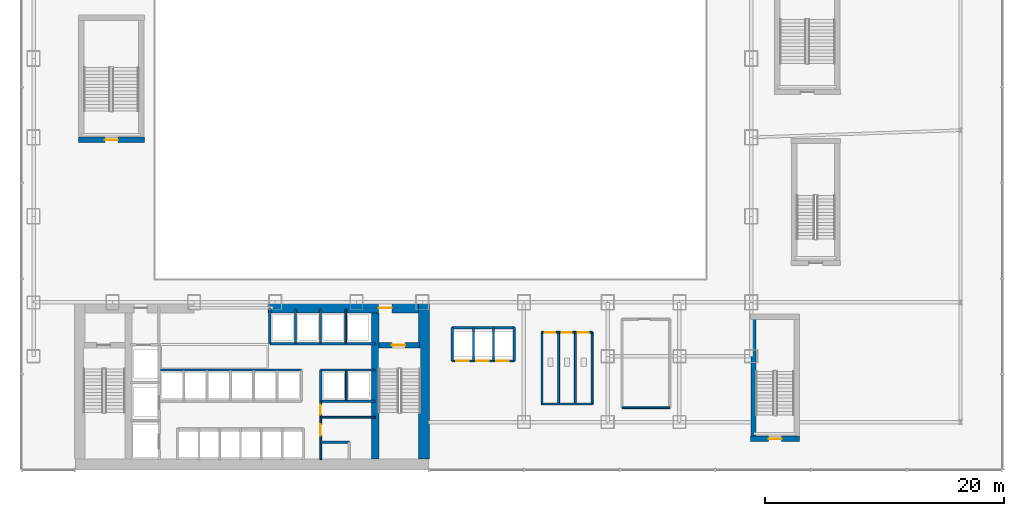
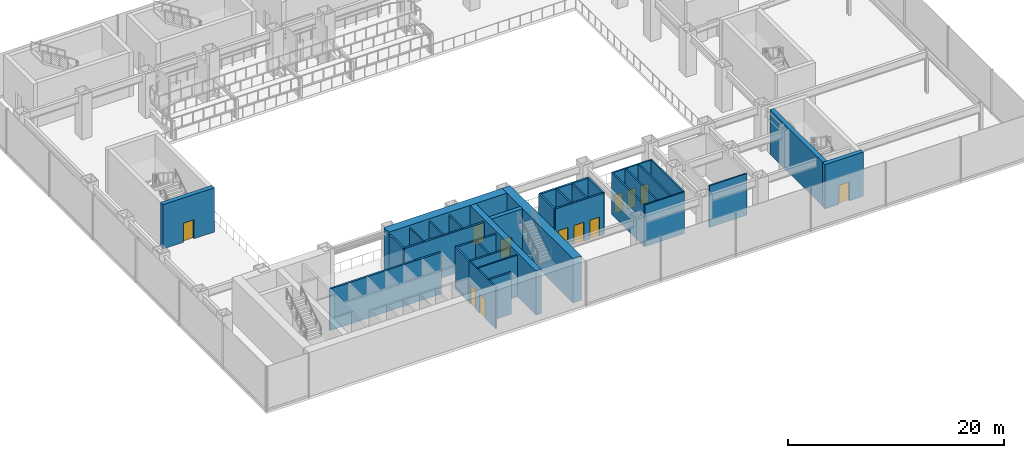
# One storey, part 29 of 39: 33 walls, 12 doors, 12 openings.
"""IFC4 building model written with IfcOpenShell, lengths in metres."""

from ifc_helpers import new_model, si_unit, derived_unit, direction, frame, frame_2d, origin, place, context, subcontext, project, spatial, rectangle, extrude, source, transform, mapped, material, layer, layer_set, type_object, element, fill, save


model = new_model("IFC4")

# Units and contexts
model_context = context("Model", 3, precision=1e-05, world=origin(), true_north=direction((0.0, 1.0)))
body_context = subcontext(model_context, "Body", "Model", "MODEL_VIEW")
ifc_project = project(units=[si_unit("LENGTHUNIT", "METRE"), si_unit("AREAUNIT", "SQUARE_METRE"), si_unit("VOLUMEUNIT", "CUBIC_METRE"), si_unit("PLANEANGLEUNIT", "RADIAN"), si_unit("MASSUNIT", "GRAM", prefix="KILO"), derived_unit("THERMALTRANSMITTANCEUNIT", [(si_unit("POWERUNIT", "WATT"), 1), (si_unit("LENGTHUNIT", "METRE"), -2), (si_unit("THERMODYNAMICTEMPERATUREUNIT", "KELVIN"), -1)])], contexts=[model_context])

# Site, building, storey
site_placement = place(None, origin())
site = spatial("IfcSite", under=ifc_project, at=site_placement, CompositionType="ELEMENT")
building_placement = place(site_placement, origin())
building = spatial("IfcBuilding", under=site, at=building_placement, Name="Skarnbrae Concourse Arena and Tower", CompositionType="ELEMENT")
storey_placement = place(building_placement, frame((0.0, 0.0, 16.0)))
storey = spatial("IfcBuildingStorey", under=building, at=storey_placement, Name="L03", CompositionType="ELEMENT", Elevation=16.0)

# Walls
ifc_material_1 = material(Name="Concrete 70 MPa (C70/85)", Category="concrete")
ifc_layer_1 = layer(ifc_material_1, 0.89990234375)
ifc_layer_set_1 = layer_set([ifc_layer_1], Name="Concrete 70 MPa (C70/85)")
wall_type_1 = type_object("IfcWallType", Name="WALL-CORE-900-C70", PredefinedType="SHEAR", material=ifc_layer_set_1)
shared_shape_1 = source(origin(), body_context, "Body", "SweptSolid", [
    extrude(rectangle(XDim=13.10009765625, YDim=0.89990234375, at=frame_2d((6.550048828125, 0.0))), origin(), (0.0, 0.0, 1.0), 5.0),
])
wall_1_placement = place(storey_placement, frame((33.64990234375, 0.89990234375, 0.0), z_axis=(0.0, 0.0, 1.0), x_axis=(0.0, 1.0, 0.0)))
element("IfcWall", 1, at=wall_1_placement, inside=storey, type_object=wall_type_1, Name="L03 Rear core shear wall CW-E", PredefinedType="SHEAR", context=body_context, shape_type="MappedRepresentation", body=[
    mapped(shared_shape_1, transform((0.0, 0.0, 0.0))),
])
ifc_layer_2 = layer(ifc_material_1, 0.60009765625)
ifc_layer_set_2 = layer_set([ifc_layer_2], Name="Concrete 70 MPa (C70/85)")
wall_type_2 = type_object("IfcWallType", Name="WALL-CORE-600-C70", PredefinedType="SHEAR", material=ifc_layer_set_2)
shared_shape_2 = source(origin(), body_context, "Body", "SweptSolid", [
    extrude(rectangle(XDim=12.2001953125, YDim=0.60009765625, at=frame_2d((6.10009765625, 0.0))), origin(), (0.0, 0.0, 1.0), 5.0),
])
wall_2_placement = place(storey_placement, frame((29.56005859375, 0.89990234375, 0.0), z_axis=(0.0, 0.0, 1.0), x_axis=(0.0, 1.0, 0.0)))
element("IfcWall", 2, at=wall_2_placement, inside=storey, type_object=wall_type_2, Name="L03 Rear core shear wall CW-WEB-E", PredefinedType="SHEAR", context=body_context, shape_type="MappedRepresentation", body=[
    mapped(shared_shape_2, transform((0.0, 0.0, 0.0))),
])

# Wall, opening, door
shared_shape_3 = source(origin(), body_context, "Body", "SweptSolid", [
    extrude(rectangle(XDim=12.599853515625, YDim=0.89990234375, at=frame_2d((6.2998046875, 0.0))), origin(), (0.0, 0.0, 1.0), 5.0),
])
wall_3_placement = place(storey_placement, frame((20.60009765625, 13.550048828125, 0.0), z_axis=(0.0, 0.0, 1.0), x_axis=(1.0, 0.0, 0.0)))
wall_3 = element("IfcWall", 3, at=wall_3_placement, inside=storey, type_object=wall_type_1, Name="L03 Rear core shear wall CW-NE", PredefinedType="SHEAR", context=body_context, shape_type="MappedRepresentation", body=[
    mapped(shared_shape_3, transform((0.0, 0.0, 0.0))),
])
opening_1_placement = place(wall_3_placement, frame((9.25, 0.0, 0.0)))
opening_1 = element("IfcOpeningElement", 4, at=opening_1_placement, cuts=wall_3, Name="Opening DT-03", PredefinedType="OPENING", context=body_context, shape_type="SweptSolid", body=[
    extrude(rectangle(XDim=1.10009765625, YDim=2.14990234375, at=frame_2d((0.550048828125, 1.074951171875))), frame((0.0, 0.4599609375, 0.0), z_axis=(0.0, -1.0, 0.0), x_axis=(1.0, 0.0, 0.0)), (0.0, 0.0, 1.0), 0.919921875),
])
ifc_material_2 = material(Name="Steel CSA G40.21 350W", Category="steel")
door_type_1 = type_object("IfcDoorType", Name="DOOR-FIRE-1100-90M", OperationType="NOTDEFINED", PredefinedType="DOOR", material=ifc_material_2)
shared_shape_4 = source(origin(), body_context, "Body", "SweptSolid", [
    extrude(rectangle(XDim=1.10009765625, YDim=2.14990234375, at=frame_2d((0.550048828125, 1.074951171875))), frame((0.0, 0.02490234375, 0.0), z_axis=(0.0, -1.0, 0.0), x_axis=(1.0, 0.0, 0.0)), (0.0, 0.0, 1.0), 0.050048828125),
])
door_1_placement = place(opening_1_placement, origin())
door_1 = element("IfcDoor", 5, at=door_1_placement, inside=storey, type_object=door_type_1, Name="D-0258 Stair ST-2 Vestibule Door", OperationType="SINGLE_SWING_LEFT", OverallHeight=2.14990234375, OverallWidth=1.10009765625, PredefinedType="DOOR", context=body_context, shape_type="MappedRepresentation", body=[
    mapped(shared_shape_4, transform((0.0, 0.0, 0.0))),
])
fill(opening_1, door_1)

ifc_material_3 = material(Name="Concrete 50 MPa (C50/60)", Category="concrete")
ifc_layer_3 = layer(ifc_material_3, 0.449951171875)
ifc_layer_set_3 = layer_set([ifc_layer_3], Name="Concrete 50 MPa (C50/60)")
wall_type_3 = type_object("IfcWallType", Name="WALL-CORE-450-C50", PredefinedType="SHEAR", material=ifc_layer_set_3)
shared_shape_5 = source(origin(), body_context, "Body", "SweptSolid", [
    extrude(rectangle(XDim=3.389892578125, YDim=0.449951171875, at=frame_2d((1.69482421875, 0.0))), origin(), (0.0, 0.0, 1.0), 5.0),
])
wall_4_placement = place(storey_placement, frame((29.860107421875, 10.419921875, 0.0), z_axis=(0.0, 0.0, 1.0), x_axis=(1.0, 0.0, 0.0)))
wall_4 = element("IfcWall", 6, at=wall_4_placement, inside=storey, type_object=wall_type_3, Name="L03 Rear core shear wall CW-ST2-N", PredefinedType="SHEAR", context=body_context, shape_type="MappedRepresentation", body=[
    mapped(shared_shape_5, transform((0.0, 0.0, 0.0))),
])
opening_2_placement = place(wall_4_placement, frame((1.10009765625, 0.0, 0.0)))
opening_2 = element("IfcOpeningElement", 7, at=opening_2_placement, cuts=wall_4, Name="Opening DT-03", PredefinedType="OPENING", context=body_context, shape_type="SweptSolid", body=[
    extrude(rectangle(XDim=1.10009765625, YDim=2.14990234375, at=frame_2d((0.550048828125, 1.074951171875))), frame((0.0, 0.23486328125, 0.0), z_axis=(0.0, -1.0, 0.0), x_axis=(1.0, 0.0, 0.0)), (0.0, 0.0, 1.0), 0.469970703125),
])
door_2_placement = place(opening_2_placement, frame((1.10009765625, 0.0, 0.0), z_axis=(0.0, 0.0, 1.0), x_axis=(-1.0, 0.0, 0.0)))
door_2 = element("IfcDoor", 8, at=door_2_placement, inside=storey, type_object=door_type_1, Name="D-0256 Stair ST-2 Door", OperationType="SINGLE_SWING_RIGHT", OverallHeight=2.14990234375, OverallWidth=1.10009765625, PredefinedType="DOOR", context=body_context, shape_type="MappedRepresentation", body=[
    mapped(shared_shape_4, transform((0.0, 0.0, 0.0))),
])
fill(opening_2, door_2)

shared_shape_6 = source(origin(), body_context, "Body", "SweptSolid", [
    extrude(rectangle(XDim=4.10009765625, YDim=0.449951171875, at=frame_2d((2.050048828125, 0.0))), origin(), (0.0, 0.0, 1.0), 5.0),
])
wall_5_placement = place(storey_placement, frame((60.949951171875, 2.594970703125, 0.0), z_axis=(0.0, 0.0, 1.0), x_axis=(1.0, 0.0, 0.0)))
wall_5 = element("IfcWall", 9, at=wall_5_placement, inside=storey, type_object=wall_type_3, Name="L03 Protected stair shaft wall ST-A1-S", PredefinedType="SHEAR", context=body_context, shape_type="MappedRepresentation", body=[
    mapped(shared_shape_6, transform((0.0, 0.0, 0.0))),
])
opening_3_placement = place(wall_5_placement, frame((1.5, 0.0, 0.0)))
opening_3 = element("IfcOpeningElement", 10, at=opening_3_placement, cuts=wall_5, Name="Opening DT-03", PredefinedType="OPENING", context=body_context, shape_type="SweptSolid", body=[
    extrude(rectangle(XDim=1.10009765625, YDim=2.14990234375, at=frame_2d((0.550048828125, 1.074951171875))), frame((0.0, 0.23486328125, 0.0), z_axis=(0.0, -1.0, 0.0), x_axis=(1.0, 0.0, 0.0)), (0.0, 0.0, 1.0), 0.469970703125),
])
door_3_placement = place(opening_3_placement, origin())
door_3 = element("IfcDoor", 11, at=door_3_placement, inside=storey, type_object=door_type_1, Name="D-0273 Exit Stair ST-A1 Door", OperationType="SINGLE_SWING_RIGHT", OverallHeight=2.14990234375, OverallWidth=1.10009765625, PredefinedType="DOOR", context=body_context, shape_type="MappedRepresentation", body=[
    mapped(shared_shape_4, transform((0.0, 0.0, 0.0))),
])
fill(opening_3, door_3)

# Wall
shared_shape_7 = source(origin(), body_context, "Body", "SweptSolid", [
    extrude(rectangle(XDim=9.800048828125, YDim=0.449951171875, at=frame_2d((4.89990234375, 0.0))), origin(), (0.0, 0.0, 1.0), 5.0),
])
wall_6_placement = place(storey_placement, frame((61.195068359375, 2.800048828125, 0.0), z_axis=(0.0, 0.0, 1.0), x_axis=(0.0, 1.0, 0.0)))
element("IfcWall", 12, at=wall_6_placement, inside=storey, type_object=wall_type_3, Name="L03 Protected stair shaft wall ST-A1-W", PredefinedType="SHEAR", context=body_context, shape_type="MappedRepresentation", body=[
    mapped(shared_shape_7, transform((0.0, 0.0, 0.0))),
])

# Wall, opening, door
shared_shape_8 = source(origin(), body_context, "Body", "SweptSolid", [
    extrude(rectangle(XDim=5.5, YDim=0.449951171875, at=frame_2d((2.75, 0.0))), origin(), (0.0, 0.0, 1.0), 5.0),
])
wall_7_placement = place(storey_placement, frame((4.75, 27.594970703125, 0.0), z_axis=(0.0, 0.0, 1.0), x_axis=(1.0, 0.0, 0.0)))
wall_7 = element("IfcWall", 13, at=wall_7_placement, inside=storey, type_object=wall_type_3, Name="L03 Protected stair shaft wall ST-A3-S", PredefinedType="SHEAR", context=body_context, shape_type="MappedRepresentation", body=[
    mapped(shared_shape_8, transform((0.0, 0.0, 0.0))),
])
opening_4_placement = place(wall_7_placement, frame((2.199951171875, 0.0, 0.0)))
opening_4 = element("IfcOpeningElement", 14, at=opening_4_placement, cuts=wall_7, Name="Opening DT-03", PredefinedType="OPENING", context=body_context, shape_type="SweptSolid", body=[
    extrude(rectangle(XDim=1.10009765625, YDim=2.14990234375, at=frame_2d((0.550048828125, 1.074951171875))), frame((0.0, 0.23486328125, 0.0), z_axis=(0.0, -1.0, 0.0), x_axis=(1.0, 0.0, 0.0)), (0.0, 0.0, 1.0), 0.469970703125),
])
door_4_placement = place(opening_4_placement, origin())
door_4 = element("IfcDoor", 15, at=door_4_placement, inside=storey, type_object=door_type_1, Name="D-0275 Exit Stair ST-A3 Door", OperationType="SINGLE_SWING_RIGHT", OverallHeight=2.14990234375, OverallWidth=1.10009765625, PredefinedType="DOOR", context=body_context, shape_type="MappedRepresentation", body=[
    mapped(shared_shape_4, transform((0.0, 0.0, 0.0))),
])
fill(opening_4, door_4)

# Walls
ifc_material_4 = material(Name="Gypsum board on cold-formed steel studs", Category="steel")
ifc_layer_4 = layer(ifc_material_4, 0.199951171875)
ifc_layer_set_4 = layer_set([ifc_layer_4], Name="Gypsum board on cold-formed steel studs")
wall_type_4 = type_object("IfcWallType", Name="WALL-PART-200-2HR", PredefinedType="PARTITIONING", material=ifc_layer_set_4)
shared_shape_9 = source(origin(), body_context, "Body", "SweptSolid", [
    extrude(rectangle(XDim=11.849853515625, YDim=0.199951171875, at=frame_2d((5.9248046875, 0.0))), origin(), (0.0, 0.0, 1.0), 4.699951171875),
])
wall_8_placement = place(storey_placement, frame((11.550048828125, 8.35009765625, 0.0), z_axis=(0.0, 0.0, 1.0), x_axis=(1.0, 0.0, 0.0)))
element("IfcWall", 16, at=wall_8_placement, inside=storey, type_object=wall_type_4, Name="L03 Interior partition wall W-L03-B2-N", PredefinedType="PARTITIONING", context=body_context, shape_type="MappedRepresentation", body=[
    mapped(shared_shape_9, transform((0.0, 0.0, 0.0))),
])
shared_shape_10 = source(origin(), body_context, "Body", "SweptSolid", [
    extrude(rectangle(XDim=2.60009765625, YDim=0.199951171875, at=frame_2d((1.300048828125, 0.0))), origin(), (0.0, 0.0, 1.0), 4.699951171875),
])
wall_9_placement = place(storey_placement, frame((25.0, 5.75, 0.0), z_axis=(0.0, 0.0, 1.0), x_axis=(0.0, 1.0, 0.0)))
element("IfcWall", 17, at=wall_9_placement, inside=storey, type_object=wall_type_4, Name="L03 Interior partition wall W-L03-B3S-W", PredefinedType="PARTITIONING", context=body_context, shape_type="MappedRepresentation", body=[
    mapped(shared_shape_10, transform((0.0, 0.0, 0.0))),
])

# Wall, openings, doors
ifc_layer_5 = layer(ifc_material_4, 0.14990234375)
ifc_layer_set_5 = layer_set([ifc_layer_5], Name="Gypsum board on cold-formed steel studs")
wall_type_5 = type_object("IfcWallType", Name="WALL-PART-150-1HR", PredefinedType="PARTITIONING", material=ifc_layer_set_5)
shared_shape_11 = source(origin(), body_context, "Body", "SweptSolid", [
    extrude(rectangle(XDim=4.89990234375, YDim=0.14990234375, at=frame_2d((2.449951171875, 0.0))), origin(), (0.0, 0.0, 1.0), 4.699951171875),
])
wall_10_placement = place(storey_placement, frame((25.0, 0.85009765625, 0.0), z_axis=(0.0, 0.0, 1.0), x_axis=(0.0, 1.0, 0.0)))
wall_10 = element("IfcWall", 18, at=wall_10_placement, inside=storey, type_object=wall_type_5, Name="L03 Interior partition wall W-L03-CSV-W", PredefinedType="PARTITIONING", context=body_context, shape_type="MappedRepresentation", body=[
    mapped(shared_shape_11, transform((0.0, 0.0, 0.0))),
])
opening_5_placement = place(wall_10_placement, frame((2.0, 0.0, 0.0)))
opening_5 = element("IfcOpeningElement", 19, at=opening_5_placement, cuts=wall_10, Name="Opening DT-04", PredefinedType="OPENING", context=body_context, shape_type="SweptSolid", body=[
    extrude(rectangle(XDim=0.949951171875, YDim=2.14990234375, at=frame_2d((0.47509765625, 1.074951171875))), frame((0.0, 0.0849609375, 0.0), z_axis=(0.0, -1.0, 0.0), x_axis=(1.0, 0.0, 0.0)), (0.0, 0.0, 1.0), 0.169921875),
])
opening_6_placement = place(wall_10_placement, frame((3.75, 0.0, 0.0)))
opening_6 = element("IfcOpeningElement", 20, at=opening_6_placement, cuts=wall_10, Name="Opening DT-08", PredefinedType="OPENING", context=body_context, shape_type="SweptSolid", body=[
    extrude(rectangle(XDim=0.85009765625, YDim=2.14990234375, at=frame_2d((0.425048828125, 1.074951171875))), frame((0.0, 0.0849609375, 0.0), z_axis=(0.0, -1.0, 0.0), x_axis=(1.0, 0.0, 0.0)), (0.0, 0.0, 1.0), 0.169921875),
])
door_type_2 = type_object("IfcDoorType", Name="DOOR-INT-950-45M", OperationType="NOTDEFINED", PredefinedType="DOOR", material=ifc_material_2)
shared_shape_12 = source(origin(), body_context, "Body", "SweptSolid", [
    extrude(rectangle(XDim=0.949951171875, YDim=2.14990234375, at=frame_2d((0.47509765625, 1.074951171875))), frame((0.0, 0.02490234375, 0.0), z_axis=(0.0, -1.0, 0.0), x_axis=(1.0, 0.0, 0.0)), (0.0, 0.0, 1.0), 0.050048828125),
])
door_5_placement = place(opening_5_placement, origin())
door_5 = element("IfcDoor", 21, at=door_5_placement, inside=storey, type_object=door_type_2, Name="D-0262 Telemetry Room Door", OperationType="SINGLE_SWING_LEFT", OverallHeight=2.14990234375, OverallWidth=0.949951171875, PredefinedType="DOOR", context=body_context, shape_type="MappedRepresentation", body=[
    mapped(shared_shape_12, transform((0.0, 0.0, 0.0))),
])
fill(opening_5, door_5)
door_type_3 = type_object("IfcDoorType", Name="DOOR-INT-850-45M", OperationType="NOTDEFINED", PredefinedType="DOOR", material=ifc_material_2)
shared_shape_13 = source(origin(), body_context, "Body", "SweptSolid", [
    extrude(rectangle(XDim=0.85009765625, YDim=2.14990234375, at=frame_2d((0.425048828125, 1.074951171875))), frame((0.0, 0.02490234375, 0.0), z_axis=(0.0, -1.0, 0.0), x_axis=(1.0, 0.0, 0.0)), (0.0, 0.0, 1.0), 0.050048828125),
])
door_6_placement = place(opening_6_placement, origin())
door_6 = element("IfcDoor", 22, at=door_6_placement, inside=storey, type_object=door_type_3, Name="D-0263 Recycling Room Door", OperationType="SINGLE_SWING_RIGHT", OverallHeight=2.14990234375, OverallWidth=0.85009765625, PredefinedType="DOOR", context=body_context, shape_type="MappedRepresentation", body=[
    mapped(shared_shape_13, transform((0.0, 0.0, 0.0))),
])
fill(opening_6, door_6)

# Walls
shared_shape_14 = source(origin(), body_context, "Body", "SweptSolid", [
    extrude(rectangle(XDim=2.39990234375, YDim=0.199951171875, at=frame_2d((1.199951171875, 0.0))), origin(), (0.0, 0.0, 1.0), 4.699951171875),
])
wall_11_placement = place(storey_placement, frame((25.0, 2.300048828125, 0.0), z_axis=(0.0, 0.0, 1.0), x_axis=(1.0, 0.0, 0.0)))
element("IfcWall", 23, at=wall_11_placement, inside=storey, type_object=wall_type_4, Name="L03 Interior partition wall W-L03-MEP-N", PredefinedType="PARTITIONING", context=body_context, shape_type="MappedRepresentation", body=[
    mapped(shared_shape_14, transform((0.0, 0.0, 0.0))),
])
ifc_layer_6 = layer(ifc_material_4, 0.14990234375)
ifc_layer_set_6 = layer_set([ifc_layer_6], Name="Gypsum board on cold-formed steel studs")
wall_type_6 = type_object("IfcWallType", Name="WALL-PART-150", PredefinedType="PARTITIONING", material=ifc_layer_set_6)
shared_shape_15 = source(origin(), body_context, "Body", "SweptSolid", [
    extrude(rectangle(XDim=4.550048828125, YDim=0.14990234375, at=frame_2d((2.27490234375, 0.0))), origin(), (0.0, 0.0, 1.0), 4.699951171875),
])
wall_12_placement = place(storey_placement, frame((25.0, 4.39990234375, 0.0), z_axis=(0.0, 0.0, 1.0), x_axis=(1.0, 0.0, 0.0)))
element("IfcWall", 24, at=wall_12_placement, inside=storey, type_object=wall_type_6, Name="L03 Interior partition wall W-L03-CSV-H", PredefinedType="PARTITIONING", context=body_context, shape_type="MappedRepresentation", body=[
    mapped(shared_shape_15, transform((0.0, 0.0, 0.0))),
])

# Wall, openings, doors
shared_shape_16 = source(origin(), body_context, "Body", "SweptSolid", [
    extrude(rectangle(XDim=5.199951171875, YDim=0.199951171875, at=frame_2d((2.60009765625, 0.0))), origin(), (0.0, 0.0, 1.0), 4.699951171875),
])
wall_13_placement = place(storey_placement, frame((36.0, 9.10009765625, 0.0), z_axis=(0.0, 0.0, 1.0), x_axis=(1.0, 0.0, 0.0)))
wall_13 = element("IfcWall", 25, at=wall_13_placement, inside=storey, type_object=wall_type_4, Name="L03 Interior partition wall W-L03-PLP-S", PredefinedType="PARTITIONING", context=body_context, shape_type="MappedRepresentation", body=[
    mapped(shared_shape_16, transform((0.0, 0.0, 0.0))),
])
opening_7_placement = place(wall_13_placement, frame((0.320068359375, 0.0, 0.0)))
opening_7 = element("IfcOpeningElement", 26, at=opening_7_placement, cuts=wall_13, Name="Opening LD-03", PredefinedType="OPENING", context=body_context, shape_type="SweptSolid", body=[
    extrude(rectangle(XDim=1.050048828125, YDim=2.14990234375, at=frame_2d((0.52490234375, 1.074951171875))), frame((0.0, 0.10986328125, 0.0), z_axis=(0.0, -1.0, 0.0), x_axis=(1.0, 0.0, 0.0)), (0.0, 0.0, 1.0), 0.219970703125),
])
opening_8_placement = place(wall_13_placement, frame((2.0, 0.0, 0.0)))
opening_8 = element("IfcOpeningElement", 27, at=opening_8_placement, cuts=wall_13, Name="Opening LD-03", PredefinedType="OPENING", context=body_context, shape_type="SweptSolid", body=[
    extrude(rectangle(XDim=1.050048828125, YDim=2.14990234375, at=frame_2d((0.52490234375, 1.074951171875))), frame((0.0, 0.10986328125, 0.0), z_axis=(0.0, -1.0, 0.0), x_axis=(1.0, 0.0, 0.0)), (0.0, 0.0, 1.0), 0.219970703125),
])
opening_9_placement = place(wall_13_placement, frame((3.679931640625, 0.0, 0.0)))
opening_9 = element("IfcOpeningElement", 28, at=opening_9_placement, cuts=wall_13, Name="Opening LD-03", PredefinedType="OPENING", context=body_context, shape_type="SweptSolid", body=[
    extrude(rectangle(XDim=1.050048828125, YDim=2.14990234375, at=frame_2d((0.52490234375, 1.074951171875))), frame((0.0, 0.10986328125, 0.0), z_axis=(0.0, -1.0, 0.0), x_axis=(1.0, 0.0, 0.0)), (0.0, 0.0, 1.0), 0.219970703125),
])
ifc_material_5 = material(Name="Bronze anodised aluminium 6063-T6", Category="aluminium")
door_type_4 = type_object("IfcDoorType", Name="DOOR-LIFT-SLIDE-1050", OperationType="SLIDING_TO_LEFT", PredefinedType="DOOR", material=ifc_material_5)
shared_shape_17 = source(origin(), body_context, "Body", "SweptSolid", [
    extrude(rectangle(XDim=1.050048828125, YDim=2.14990234375, at=frame_2d((0.52490234375, 1.074951171875))), frame((0.0, 0.02490234375, 0.0), z_axis=(0.0, -1.0, 0.0), x_axis=(1.0, 0.0, 0.0)), (0.0, 0.0, 1.0), 0.050048828125),
])
door_7_placement = place(opening_7_placement, frame((1.050048828125, 0.0, 0.0), z_axis=(0.0, 0.0, 1.0), x_axis=(-1.0, 0.0, 0.0)))
door_7 = element("IfcDoor", 29, at=door_7_placement, inside=storey, type_object=door_type_4, Name="D-0264 Transit Lift Landing Door PL-P1", OperationType="SLIDING_TO_LEFT", OverallHeight=2.14990234375, OverallWidth=1.050048828125, PredefinedType="DOOR", context=body_context, shape_type="MappedRepresentation", body=[
    mapped(shared_shape_17, transform((0.0, 0.0, 0.0))),
])
fill(opening_7, door_7)
door_8_placement = place(opening_8_placement, frame((1.050048828125, 0.0, 0.0), z_axis=(0.0, 0.0, 1.0), x_axis=(-1.0, 0.0, 0.0)))
door_8 = element("IfcDoor", 30, at=door_8_placement, inside=storey, type_object=door_type_4, Name="D-0265 Transit Lift Landing Door PL-P2", OperationType="SLIDING_TO_LEFT", OverallHeight=2.14990234375, OverallWidth=1.050048828125, PredefinedType="DOOR", context=body_context, shape_type="MappedRepresentation", body=[
    mapped(shared_shape_17, transform((0.0, 0.0, 0.0))),
])
fill(opening_8, door_8)
door_9_placement = place(opening_9_placement, frame((1.050048828125, 0.0, 0.0), z_axis=(0.0, 0.0, 1.0), x_axis=(-1.0, 0.0, 0.0)))
door_9 = element("IfcDoor", 31, at=door_9_placement, inside=storey, type_object=door_type_4, Name="D-0266 Transit Lift Landing Door PL-P3", OperationType="SLIDING_TO_LEFT", OverallHeight=2.14990234375, OverallWidth=1.050048828125, PredefinedType="DOOR", context=body_context, shape_type="MappedRepresentation", body=[
    mapped(shared_shape_17, transform((0.0, 0.0, 0.0))),
])
fill(opening_9, door_9)

# Walls
wall_14_placement = place(storey_placement, frame((36.0, 11.89990234375, 0.0), z_axis=(0.0, 0.0, 1.0), x_axis=(1.0, 0.0, 0.0)))
element("IfcWall", 32, at=wall_14_placement, inside=storey, type_object=wall_type_4, Name="L03 Interior partition wall W-L03-PLP-N", PredefinedType="PARTITIONING", context=body_context, shape_type="MappedRepresentation", body=[
    mapped(shared_shape_16, transform((0.0, 0.0, 0.0))),
])
shared_shape_18 = source(origin(), body_context, "Body", "SweptSolid", [
    extrude(rectangle(XDim=2.7998046875, YDim=0.199951171875, at=frame_2d((1.39990234375, 0.0))), origin(), (0.0, 0.0, 1.0), 4.699951171875),
])
for number, where, z_axis, x_axis, name in (
    (33, (36.0, 9.10009765625, 0.0), (0.0, 0.0, 1.0), (0.0, 1.0, 0.0), "L03 Interior partition wall W-L03-PLP-W"),
    (34, (41.199951171875, 9.10009765625, 0.0), (0.0, 0.0, 1.0), (0.0, 1.0, 0.0), "L03 Interior partition wall W-L03-PLP-E"),
):
    element("IfcWall", number, at=place(storey_placement, frame(where, z_axis=z_axis, x_axis=x_axis)), inside=storey, type_object=wall_type_4, Name=name, PredefinedType="PARTITIONING", context=body_context, shape_type="MappedRepresentation", body=[
        mapped(shared_shape_18, transform((0.0, 0.0, 0.0))),
    ])
shared_shape_19 = source(origin(), body_context, "Body", "SweptSolid", [
    extrude(rectangle(XDim=2.7001953125, YDim=0.14990234375, at=frame_2d((1.35009765625, 0.0))), origin(), (0.0, 0.0, 1.0), 4.699951171875),
])
for number, where, z_axis, x_axis, name in (
    (35, (37.780029296875, 9.14990234375, 0.0), (0.0, 0.0, 1.0), (0.0, 1.0, 0.0), "L03 Interior partition wall W-L03-PLP-D1"),
    (36, (39.4599609375, 9.14990234375, 0.0), (0.0, 0.0, 1.0), (0.0, 1.0, 0.0), "L03 Interior partition wall W-L03-PLP-D2"),
):
    element("IfcWall", number, at=place(storey_placement, frame(where, z_axis=z_axis, x_axis=x_axis)), inside=storey, type_object=wall_type_6, Name=name, PredefinedType="PARTITIONING", context=body_context, shape_type="MappedRepresentation", body=[
        mapped(shared_shape_19, transform((0.0, 0.0, 0.0))),
    ])
shared_shape_20 = source(origin(), body_context, "Body", "SweptSolid", [
    extrude(rectangle(XDim=2.5, YDim=0.14990234375, at=frame_2d((1.25, 0.0))), origin(), (0.0, 0.0, 1.0), 4.699951171875),
])
wall_15_placement = place(storey_placement, frame((27.139892578125, 5.800048828125, 0.0), z_axis=(0.0, 0.0, 1.0), x_axis=(0.0, 1.0, 0.0)))
element("IfcWall", 37, at=wall_15_placement, inside=storey, type_object=wall_type_6, Name="L03 Interior partition wall W-L03-B3S-P1", PredefinedType="PARTITIONING", context=body_context, shape_type="MappedRepresentation", body=[
    mapped(shared_shape_20, transform((0.0, 0.0, 0.0))),
])
shared_shape_21 = source(origin(), body_context, "Body", "SweptSolid", [
    extrude(rectangle(XDim=8.800048828125, YDim=0.199951171875, at=frame_2d((4.39990234375, 0.0))), origin(), (0.0, 0.0, 1.0), 4.699951171875),
])
wall_16_placement = place(storey_placement, frame((20.75, 10.550048828125, 0.0), z_axis=(0.0, 0.0, 1.0), x_axis=(1.0, 0.0, 0.0)))
element("IfcWall", 38, at=wall_16_placement, inside=storey, type_object=wall_type_4, Name="L03 Interior partition wall W-L03-B3N-S", PredefinedType="PARTITIONING", context=body_context, shape_type="MappedRepresentation", body=[
    mapped(shared_shape_21, transform((0.0, 0.0, 0.0))),
])
shared_shape_22 = source(origin(), body_context, "Body", "SweptSolid", [
    extrude(rectangle(XDim=3.0, YDim=0.199951171875, at=frame_2d((1.5, 0.0))), origin(), (0.0, 0.0, 1.0), 4.699951171875),
])
wall_17_placement = place(storey_placement, frame((20.75, 10.550048828125, 0.0), z_axis=(0.0, 0.0, 1.0), x_axis=(0.0, 1.0, 0.0)))
element("IfcWall", 39, at=wall_17_placement, inside=storey, type_object=wall_type_4, Name="L03 Interior partition wall W-L03-B3N-W", PredefinedType="PARTITIONING", context=body_context, shape_type="MappedRepresentation", body=[
    mapped(shared_shape_22, transform((0.0, 0.0, 0.0))),
])
shared_shape_23 = source(origin(), body_context, "Body", "SweptSolid", [
    extrude(rectangle(XDim=2.849853515625, YDim=0.14990234375, at=frame_2d((1.4248046875, 0.0))), origin(), (0.0, 0.0, 1.0), 4.699951171875),
])
for number, where, z_axis, x_axis, name in (
    (40, (22.889892578125, 10.60009765625, 0.0), (0.0, 0.0, 1.0), (0.0, 1.0, 0.0), "L03 Interior partition wall W-L03-B3N-P1"),
    (41, (24.989990234375, 10.60009765625, 0.0), (0.0, 0.0, 1.0), (0.0, 1.0, 0.0), "L03 Interior partition wall W-L03-B3N-P2"),
    (42, (27.090087890625, 10.60009765625, 0.0), (0.0, 0.0, 1.0), (0.0, 1.0, 0.0), "L03 Interior partition wall W-L03-B3N-P3"),
):
    element("IfcWall", number, at=place(storey_placement, frame(where, z_axis=z_axis, x_axis=x_axis)), inside=storey, type_object=wall_type_6, Name=name, PredefinedType="PARTITIONING", context=body_context, shape_type="MappedRepresentation", body=[
        mapped(shared_shape_23, transform((0.0, 0.0, 0.0))),
    ])
shared_shape_24 = source(origin(), body_context, "Body", "SweptSolid", [
    extrude(rectangle(XDim=4.550048828125, YDim=0.199951171875, at=frame_2d((2.27490234375, 0.0))), origin(), (0.0, 0.0, 1.0), 4.699951171875),
])
for number, where, z_axis, x_axis, name in (
    (43, (25.0, 8.35009765625, 0.0), (0.0, 0.0, 1.0), (1.0, 0.0, 0.0), "L03 Interior partition wall W-L03-B3S-N"),
    (44, (25.0, 5.75, 0.0), (0.0, 0.0, 1.0), (1.0, 0.0, 0.0), "L03 Interior partition wall W-L03-B3S-S"),
):
    element("IfcWall", number, at=place(storey_placement, frame(where, z_axis=z_axis, x_axis=x_axis)), inside=storey, type_object=wall_type_4, Name=name, PredefinedType="PARTITIONING", context=body_context, shape_type="MappedRepresentation", body=[
        mapped(shared_shape_24, transform((0.0, 0.0, 0.0))),
    ])

# Wall, openings, doors
shared_shape_25 = source(origin(), body_context, "Body", "SweptSolid", [
    extrude(rectangle(XDim=4.199951171875, YDim=0.14990234375, at=frame_2d((2.10009765625, 0.0))), origin(), (0.0, 0.0, 1.0), 4.699951171875),
])
wall_18_placement = place(storey_placement, frame((43.5, 11.5, 0.0), z_axis=(0.0, 0.0, 1.0), x_axis=(1.0, 0.0, 0.0)))
wall_18 = element("IfcWall", 45, at=wall_18_placement, inside=storey, type_object=wall_type_6, Name="L03 Interior partition wall W-L03-PWC-N", PredefinedType="PARTITIONING", context=body_context, shape_type="MappedRepresentation", body=[
    mapped(shared_shape_25, transform((0.0, 0.0, 0.0))),
])
opening_10_placement = place(wall_18_placement, frame((0.25, 0.0, 0.0)))
opening_10 = element("IfcOpeningElement", 46, at=opening_10_placement, cuts=wall_18, Name="Opening DT-06", PredefinedType="OPENING", context=body_context, shape_type="SweptSolid", body=[
    extrude(rectangle(XDim=0.85009765625, YDim=2.10009765625, at=frame_2d((0.425048828125, 1.050048828125))), frame((0.0, 0.0849609375, 0.0), z_axis=(0.0, -1.0, 0.0), x_axis=(1.0, 0.0, 0.0)), (0.0, 0.0, 1.0), 0.169921875),
])
opening_11_placement = place(wall_18_placement, frame((1.64990234375, 0.0, 0.0)))
opening_11 = element("IfcOpeningElement", 47, at=opening_11_placement, cuts=wall_18, Name="Opening DT-06", PredefinedType="OPENING", context=body_context, shape_type="SweptSolid", body=[
    extrude(rectangle(XDim=0.85009765625, YDim=2.10009765625, at=frame_2d((0.425048828125, 1.050048828125))), frame((0.0, 0.0849609375, 0.0), z_axis=(0.0, -1.0, 0.0), x_axis=(1.0, 0.0, 0.0)), (0.0, 0.0, 1.0), 0.169921875),
])
opening_12_placement = place(wall_18_placement, frame((3.0, 0.0, 0.0)))
opening_12 = element("IfcOpeningElement", 48, at=opening_12_placement, cuts=wall_18, Name="Opening DT-05", PredefinedType="OPENING", context=body_context, shape_type="SweptSolid", body=[
    extrude(rectangle(XDim=0.89990234375, YDim=2.10009765625, at=frame_2d((0.449951171875, 1.050048828125))), frame((0.0, 0.0849609375, 0.0), z_axis=(0.0, -1.0, 0.0), x_axis=(1.0, 0.0, 0.0)), (0.0, 0.0, 1.0), 0.169921875),
])
ifc_material_6 = material(Name="Architectural oak veneer timber leaf", Category="wood")
door_type_5 = type_object("IfcDoorType", Name="DOOR-INT-850", OperationType="NOTDEFINED", PredefinedType="DOOR", material=ifc_material_6)
shared_shape_26 = source(origin(), body_context, "Body", "SweptSolid", [
    extrude(rectangle(XDim=0.85009765625, YDim=2.10009765625, at=frame_2d((0.425048828125, 1.050048828125))), frame((0.0, 0.02490234375, 0.0), z_axis=(0.0, -1.0, 0.0), x_axis=(1.0, 0.0, 0.0)), (0.0, 0.0, 1.0), 0.050048828125),
])
door_10_placement = place(opening_10_placement, frame((0.85009765625, 0.0, 0.0), z_axis=(0.0, 0.0, 1.0), x_axis=(-1.0, 0.0, 0.0)))
door_10 = element("IfcDoor", 49, at=door_10_placement, inside=storey, type_object=door_type_5, Name="D-0267 Public Male WC Door", OperationType="SINGLE_SWING_LEFT", OverallHeight=2.10009765625, OverallWidth=0.85009765625, PredefinedType="DOOR", context=body_context, shape_type="MappedRepresentation", body=[
    mapped(shared_shape_26, transform((0.0, 0.0, 0.0))),
])
fill(opening_10, door_10)
door_11_placement = place(opening_11_placement, frame((0.85009765625, 0.0, 0.0), z_axis=(0.0, 0.0, 1.0), x_axis=(-1.0, 0.0, 0.0)))
door_11 = element("IfcDoor", 50, at=door_11_placement, inside=storey, type_object=door_type_5, Name="D-0268 Public Female WC Door", OperationType="SINGLE_SWING_RIGHT", OverallHeight=2.10009765625, OverallWidth=0.85009765625, PredefinedType="DOOR", context=body_context, shape_type="MappedRepresentation", body=[
    mapped(shared_shape_26, transform((0.0, 0.0, 0.0))),
])
fill(opening_11, door_11)
door_type_6 = type_object("IfcDoorType", Name="DOOR-INT-900", OperationType="NOTDEFINED", PredefinedType="DOOR", material=ifc_material_6)
shared_shape_27 = source(origin(), body_context, "Body", "SweptSolid", [
    extrude(rectangle(XDim=0.89990234375, YDim=2.10009765625, at=frame_2d((0.449951171875, 1.050048828125))), frame((0.0, 0.02490234375, 0.0), z_axis=(0.0, -1.0, 0.0), x_axis=(1.0, 0.0, 0.0)), (0.0, 0.0, 1.0), 0.050048828125),
])
door_12_placement = place(opening_12_placement, frame((0.89990234375, 0.0, 0.0), z_axis=(0.0, 0.0, 1.0), x_axis=(-1.0, 0.0, 0.0)))
door_12 = element("IfcDoor", 51, at=door_12_placement, inside=storey, type_object=door_type_6, Name="D-0269 Public Accessible WC Door", OperationType="SINGLE_SWING_LEFT", OverallHeight=2.10009765625, OverallWidth=0.89990234375, PredefinedType="DOOR", context=body_context, shape_type="MappedRepresentation", body=[
    mapped(shared_shape_27, transform((0.0, 0.0, 0.0))),
])
fill(opening_12, door_12)

# Walls
wall_19_placement = place(storey_placement, frame((43.5, 5.5, 0.0), z_axis=(0.0, 0.0, 1.0), x_axis=(1.0, 0.0, 0.0)))
element("IfcWall", 52, at=wall_19_placement, inside=storey, type_object=wall_type_6, Name="L03 Interior partition wall W-L03-PWC-S", PredefinedType="PARTITIONING", context=body_context, shape_type="MappedRepresentation", body=[
    mapped(shared_shape_25, transform((0.0, 0.0, 0.0))),
])
shared_shape_28 = source(origin(), body_context, "Body", "SweptSolid", [
    extrude(rectangle(XDim=6.0, YDim=0.14990234375, at=frame_2d((3.0, 0.0))), origin(), (0.0, 0.0, 1.0), 4.699951171875),
])
for number, where, z_axis, x_axis, name in (
    (53, (43.5, 5.5, 0.0), (0.0, 0.0, 1.0), (0.0, 1.0, 0.0), "L03 Interior partition wall W-L03-PWC-W"),
    (54, (47.699951171875, 5.5, 0.0), (0.0, 0.0, 1.0), (0.0, 1.0, 0.0), "L03 Interior partition wall W-L03-PWC-E"),
    (55, (44.89990234375, 5.5, 0.0), (0.0, 0.0, 1.0), (0.0, 1.0, 0.0), "L03 Interior partition wall W-L03-PWC-D1"),
    (56, (46.300048828125, 5.5, 0.0), (0.0, 0.0, 1.0), (0.0, 1.0, 0.0), "L03 Interior partition wall W-L03-PWC-D2"),
):
    element("IfcWall", number, at=place(storey_placement, frame(where, z_axis=z_axis, x_axis=x_axis)), inside=storey, type_object=wall_type_6, Name=name, PredefinedType="PARTITIONING", context=body_context, shape_type="MappedRepresentation", body=[
        mapped(shared_shape_28, transform((0.0, 0.0, 0.0))),
    ])
shared_shape_29 = source(origin(), body_context, "Body", "SweptSolid", [
    extrude(rectangle(XDim=4.0, YDim=0.14990234375, at=frame_2d((2.0, 0.0))), origin(), (0.0, 0.0, 1.0), 4.699951171875),
])
wall_20_placement = place(storey_placement, frame((50.199951171875, 5.199951171875, 0.0), z_axis=(0.0, 0.0, 1.0), x_axis=(1.0, 0.0, 0.0)))
element("IfcWall", 57, at=wall_20_placement, inside=storey, type_object=wall_type_5, Name="L03 Interior partition wall W-L03-CAT-S", PredefinedType="PARTITIONING", context=body_context, shape_type="MappedRepresentation", body=[
    mapped(shared_shape_29, transform((0.0, 0.0, 0.0))),
])

save(model, "model.ifc")
